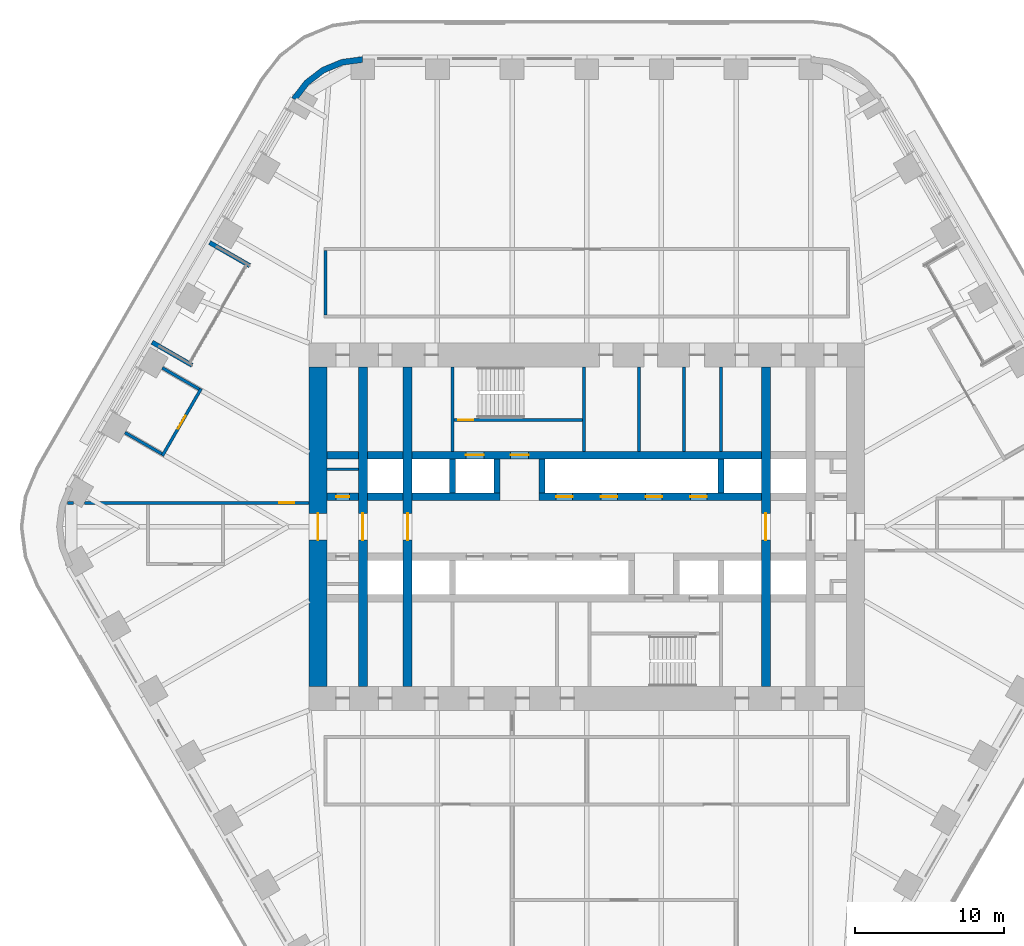
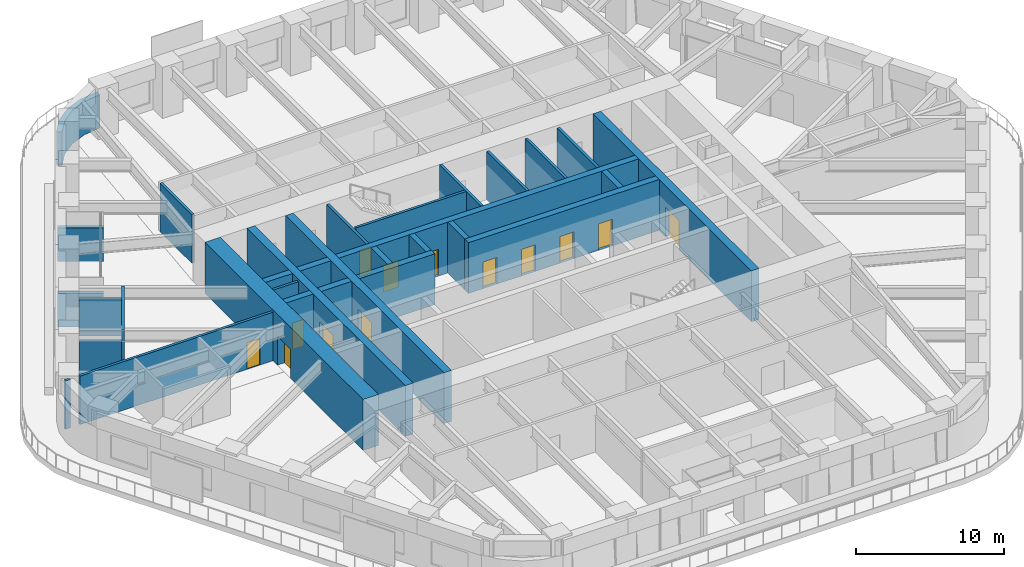
# One storey, part 19 of 24: 31 walls, 14 doors, 14 openings.
"""IFC4 building model written with IfcOpenShell, lengths in metres."""

from ifc_helpers import new_model, si_unit, direction, frame, frame_2d, origin, place, context, subcontext, project, spatial, polyline, rectangle, outline, extrude, material, layer, layer_set, type_object, element, fill, save


model = new_model("IFC4")

# Units and contexts
model_context = context("Model", 3, precision=1e-05, world=origin(), true_north=direction((0.0, 1.0)))
body_context = subcontext(model_context, "Body", "Model", "MODEL_VIEW")
ifc_project = project(units=[si_unit("LENGTHUNIT", "METRE"), si_unit("AREAUNIT", "SQUARE_METRE"), si_unit("VOLUMEUNIT", "CUBIC_METRE"), si_unit("PLANEANGLEUNIT", "RADIAN"), si_unit("MASSUNIT", "GRAM", prefix="KILO")], contexts=[model_context])

# Site, building, storey
site_placement = place(None, origin())
site = spatial("IfcSite", under=ifc_project, at=site_placement, CompositionType="ELEMENT")
building_placement = place(site_placement, origin())
building = spatial("IfcBuilding", under=site, at=building_placement, Name="Tarfa Lantern Tower", CompositionType="ELEMENT")
storey_placement = place(building_placement, frame((0.0, 0.0, 174.10009765625)))
storey = spatial("IfcBuildingStorey", under=building, at=storey_placement, Name="L39", CompositionType="ELEMENT", Elevation=174.10009765625)

# Walls
ifc_material_1 = material(Name="Limestone cladding on blockwork", Category="masonry")
ifc_layer_1 = layer(ifc_material_1, 0.300048828125)
ifc_layer_set_1 = layer_set([ifc_layer_1], Name="EW1 STONE-CLAD WALL 300")
wall_type_1 = type_object("IfcWallType", Name="EW1 STONE-CLAD WALL 300", PredefinedType="SOLIDWALL", material=ifc_layer_set_1)
wall_1_placement = place(storey_placement, frame((-25.266357421875, 19.037353515625, 0.0), z_axis=(0.0, 0.0, 1.0), x_axis=(0.86600983753, -0.500026960575, 0.0)))
element("IfcWall", 1, at=wall_1_placement, inside=storey, type_object=wall_type_1, Name="Loggia return NW 1", PredefinedType="SOLIDWALL", context=body_context, shape_type="SweptSolid", body=[
    extrude(rectangle(XDim=3.099853515625, YDim=0.300048828125, at=frame_2d((1.5498046875, 0.0))), origin(), (0.0, 0.0, 1.0), 2.75),
])
wall_2_placement = place(storey_placement, frame((-29.1201171875, 12.362548828125, 0.0), z_axis=(0.0, 0.0, 1.0), x_axis=(0.86602952684, -0.49999285859, 0.0)))
element("IfcWall", 2, at=wall_2_placement, inside=storey, type_object=wall_type_1, Name="Loggia return NW 2", PredefinedType="SOLIDWALL", context=body_context, shape_type="SweptSolid", body=[
    extrude(rectangle(XDim=3.10009765625, YDim=0.300048828125, at=frame_2d((1.550048828125, 0.0))), origin(), (0.0, 0.0, 1.0), 2.75),
])
ifc_layer_2 = layer(ifc_material_1, 0.39990234375)
ifc_layer_set_2 = layer_set([ifc_layer_2], Name="EW2 CURVED STONE CORNER 400")
wall_type_2 = type_object("IfcWallType", Name="EW2 CURVED STONE CORNER 400", PredefinedType="SOLIDWALL", material=ifc_layer_set_2)
wall_3_placement = place(storey_placement, origin())
element("IfcWall", 3, at=wall_3_placement, inside=storey, type_object=wall_type_2, Name="Stone corner N-NW", PredefinedType="SOLIDWALL", context=body_context, shape_type="SweptSolid", body=[
    extrude(outline(polyline([(-15.010986328125, 31.5), (-16.4345703125, 31.3125), (-17.760986328125, 30.76318359375), (-18.900146484375, 29.88916015625), (-19.774169921875, 28.75), (-19.427734375, 28.550048828125), (-18.617431640625, 29.606201171875), (-17.56103515625, 30.416748046875), (-16.3310546875, 30.92626953125), (-15.010986328125, 31.10009765625), (-15.010986328125, 31.5)])), origin(), (0.0, 0.0, 1.0), 2.75),
])
ifc_material_2 = material(Name="Concrete blockwork", Category="masonry")
ifc_layer_3 = layer(ifc_material_2, 0.199951171875)
ifc_layer_set_3 = layer_set([ifc_layer_3], Name="IW1 BLOCKWORK PARTITION 200 EI 120")
wall_type_3 = type_object("IfcWallType", Name="IW1 BLOCKWORK PARTITION 200 EI 120", PredefinedType="PARTITIONING", material=ifc_layer_set_3)
for number, where, z_axis, x_axis, name in (
    (4, (-9.0, 5.050048828125, 0.0), (0.0, 0.0, 1.0), (0.0, 1.0, 0.0), "Core partition"),
    (5, (9.0, 5.050048828125, 0.0), (0.0, 0.0, 1.0), (0.0, 1.0, 0.0), "Core partition"),
    (6, (3.5, 5.050048828125, 0.0), (0.0, 0.0, 1.0), (0.0, 1.0, 0.0), "Core partition"),
    (7, (6.5, 5.050048828125, 0.0), (0.0, 0.0, 1.0), (0.0, 1.0, 0.0), "Core partition"),
):
    element("IfcWall", number, at=place(storey_placement, frame(where, z_axis=z_axis, x_axis=x_axis)), inside=storey, type_object=wall_type_3, Name=name, PredefinedType="PARTITIONING", context=body_context, shape_type="SweptSolid", body=[
        extrude(rectangle(XDim=5.64990234375, YDim=0.199951171875, at=frame_2d((2.824951171875, 0.0))), origin(), (0.0, 0.0, 1.0), 4.0),
    ])
wall_4_placement = place(storey_placement, frame((-17.39990234375, 3.85009765625, 0.0), z_axis=(0.0, 0.0, 1.0), x_axis=(1.0, 0.0, 0.0)))
element("IfcWall", 8, at=wall_4_placement, inside=storey, type_object=wall_type_3, Name="Core partition", PredefinedType="PARTITIONING", context=body_context, shape_type="SweptSolid", body=[
    extrude(rectangle(XDim=2.099853515625, YDim=0.199951171875, at=frame_2d((1.0498046875, 0.0))), origin(), (0.0, 0.0, 1.0), 4.0),
])
ifc_material_3 = material(Name="Gypsum board on steel studs", Category="steel")
ifc_layer_4 = layer(ifc_material_3, 0.2099609375)
ifc_layer_set_4 = layer_set([ifc_layer_4], Name="IW2 ACOUSTIC PARTITION 200")
wall_type_4 = type_object("IfcWallType", Name="IW2 ACOUSTIC PARTITION 200", PredefinedType="PARTITIONING", material=ifc_layer_set_4)
wall_5_placement = place(storey_placement, frame((-17.5, 14.199951171875, 0.0), z_axis=(0.0, 0.0, 1.0), x_axis=(0.0, 1.0, 0.0)))
element("IfcWall", 9, at=wall_5_placement, inside=storey, type_object=wall_type_4, Name="Partition", PredefinedType="PARTITIONING", context=body_context, shape_type="SweptSolid", body=[
    extrude(rectangle(XDim=4.300048828125, YDim=0.199951171875, at=frame_2d((2.14990234375, 0.0))), origin(), (0.0, 0.0, 1.0), 4.0),
])

# Wall, opening, door
wall_6_placement = place(storey_placement, frame((-25.83447265625, 9.253173828125, 0.0), z_axis=(0.0, 0.0, 1.0), x_axis=(-0.500009456303, -0.866019944116, 0.0)))
wall_6 = element("IfcWall", 10, at=wall_6_placement, inside=storey, type_object=wall_type_4, Name="Partition", PredefinedType="PARTITIONING", context=body_context, shape_type="SweptSolid", body=[
    extrude(rectangle(XDim=5.20361328125, YDim=0.199951171875, at=frame_2d((2.601806640625, 0.0))), origin(), (0.0, 0.0, 1.0), 4.0),
])
opening_1_placement = place(wall_6_placement, frame((2.101806640625, 0.0, 0.0)))
opening_1 = element("IfcOpeningElement", 11, at=opening_1_placement, cuts=wall_6, Name="Opening D34", PredefinedType="OPENING", context=body_context, shape_type="SweptSolid", body=[
    extrude(rectangle(XDim=1.0, YDim=2.199951171875, at=frame_2d((0.5, 1.10009765625))), frame((0.0, 0.10986328125, 0.0), z_axis=(0.0, -1.0, 0.0), x_axis=(1.0, 0.0, 0.0)), (0.0, 0.0, 1.0), 0.219970703125),
])
ifc_material_4 = material(Name="Timber door", Category="wood")
door_type_1 = type_object("IfcDoorType", Name="DR1 ROOM DOOR 1000x2200", OperationType="SINGLE_SWING_LEFT", PredefinedType="DOOR", material=ifc_material_4)
door_1_placement = place(opening_1_placement, frame((1.0, 0.0, 0.0), z_axis=(0.0, 0.0, 1.0), x_axis=(-1.0, 0.0, 0.0)))
door_1 = element("IfcDoor", 12, at=door_1_placement, inside=storey, type_object=door_type_1, Name="Brand studio door", OperationType="SINGLE_SWING_RIGHT", OverallHeight=2.199951171875, OverallWidth=1.0, PredefinedType="DOOR", context=body_context, shape_type="SweptSolid", body=[
    extrude(rectangle(XDim=1.0, YDim=2.199951171875, at=frame_2d((0.5, 1.10009765625))), frame((0.0, 0.02490234375, 0.0), z_axis=(0.0, -1.0, 0.0), x_axis=(1.0, 0.0, 0.0)), (0.0, 0.0, 1.0), 0.050048828125),
])
fill(opening_1, door_1)

# Walls
wall_7_placement = place(storey_placement, frame((-25.97119140625, 9.216552734375, 0.0), z_axis=(0.0, 0.0, 1.0), x_axis=(-0.866004402611, 0.500036373335, 0.0)))
element("IfcWall", 13, at=wall_7_placement, inside=storey, type_object=wall_type_4, Name="Partition", PredefinedType="PARTITIONING", context=body_context, shape_type="SweptSolid", body=[
    extrude(rectangle(XDim=2.849853515625, YDim=0.199951171875, at=frame_2d((1.4248046875, 0.0))), origin(), (0.0, 0.0, 1.0), 3.08154296875),
])
wall_8_placement = place(storey_placement, frame((-28.472900390625, 4.88330078125, 0.0), z_axis=(0.0, 0.0, 1.0), x_axis=(-0.866025820012, 0.499999279071, 0.0)))
element("IfcWall", 14, at=wall_8_placement, inside=storey, type_object=wall_type_4, Name="Partition", PredefinedType="PARTITIONING", context=body_context, shape_type="SweptSolid", body=[
    extrude(rectangle(XDim=2.85009765625, YDim=0.199951171875, at=frame_2d((1.425048828125, 0.0))), origin(), (0.0, 0.0, 1.0), 3.08154296875),
])

# Wall, opening, door
wall_9_placement = place(storey_placement, frame((-18.60009765625, 1.60009765625, 0.0), z_axis=(0.0, 0.0, 1.0), x_axis=(-1.0, 0.0, 0.0)))
wall_9 = element("IfcWall", 15, at=wall_9_placement, inside=storey, type_object=wall_type_4, Name="Partition", PredefinedType="PARTITIONING", context=body_context, shape_type="SweptSolid", body=[
    extrude(rectangle(XDim=15.059326171875, YDim=0.199951171875, at=frame_2d((7.52978515625, 0.0))), origin(), (0.0, 0.0, 1.0), 4.0),
])
opening_2_placement = place(wall_9_placement, frame((1.005859375, 0.0, 0.0)))
opening_2 = element("IfcOpeningElement", 16, at=opening_2_placement, cuts=wall_9, Name="Opening D44", PredefinedType="OPENING", context=body_context, shape_type="SweptSolid", body=[
    extrude(rectangle(XDim=1.0, YDim=2.199951171875, at=frame_2d((0.5, 1.10009765625))), frame((0.0, 0.10986328125, 0.0), z_axis=(0.0, -1.0, 0.0), x_axis=(1.0, 0.0, 0.0)), (0.0, 0.0, 1.0), 0.219970703125),
])
door_2_placement = place(opening_2_placement, origin())
door_2 = element("IfcDoor", 17, at=door_2_placement, inside=storey, type_object=door_type_1, Name="Zone door", OperationType="SINGLE_SWING_RIGHT", OverallHeight=2.199951171875, OverallWidth=1.0, PredefinedType="DOOR", context=body_context, shape_type="SweptSolid", body=[
    extrude(rectangle(XDim=1.0, YDim=2.199951171875, at=frame_2d((0.5, 1.10009765625))), frame((0.0, 0.02490234375, 0.0), z_axis=(0.0, -1.0, 0.0), x_axis=(1.0, 0.0, 0.0)), (0.0, 0.0, 1.0), 0.050048828125),
])
fill(opening_2, door_2)

# Wall
wall_10_placement = place(storey_placement, frame((-34.3935546875, 1.60009765625, 0.0), z_axis=(0.0, 0.0, 1.0), x_axis=(-1.0, 0.0, 0.0)))
element("IfcWall", 18, at=wall_10_placement, inside=storey, type_object=wall_type_4, Name="Partition", PredefinedType="PARTITIONING", context=body_context, shape_type="SweptSolid", body=[
    extrude(rectangle(XDim=0.397705078125, YDim=0.199951171875, at=frame_2d((0.19873046875, 0.0))), origin(), (0.0, 0.0, 1.0), 4.0),
])

# Wall, opening, door
ifc_material_5 = material(Name="Concrete C80/95", Category="concrete")
ifc_layer_5 = layer(ifc_material_5, 1.199951171875)
ifc_layer_set_5 = layer_set([ifc_layer_5], Name="SW1 CORE WALL 1200")
wall_type_5 = type_object("IfcWallType", Name="SW1 CORE WALL 1200", PredefinedType="SHEAR", material=ifc_layer_set_5)
wall_11_placement = place(storey_placement, frame((-18.0, 10.699951171875, 0.0), z_axis=(0.0, 0.0, 1.0), x_axis=(0.0, -1.0, 0.0)))
wall_11 = element("IfcWall", 19, at=wall_11_placement, inside=storey, type_object=wall_type_5, Name="Core wall W", PredefinedType="SHEAR", context=body_context, shape_type="SweptSolid", body=[
    extrude(rectangle(XDim=21.39990234375, YDim=1.199951171875, at=frame_2d((10.699951171875, 0.0))), origin(), (0.0, 0.0, 1.0), 4.199951171875),
])
opening_3_placement = place(wall_11_placement, frame((9.800048828125, 0.0, 0.0)))
opening_3 = element("IfcOpeningElement", 20, at=opening_3_placement, cuts=wall_11, Name="Opening D16", PredefinedType="OPENING", context=body_context, shape_type="SweptSolid", body=[
    extrude(rectangle(XDim=1.800048828125, YDim=2.39990234375, at=frame_2d((0.89990234375, 1.199951171875))), frame((0.0, 0.60986328125, 0.0), z_axis=(0.0, -1.0, 0.0), x_axis=(1.0, 0.0, 0.0)), (0.0, 0.0, 1.0), 1.219970703125),
])
ifc_material_6 = material(Name="Steel fire door", Category="steel")
door_type_2 = type_object("IfcDoorType", Name="DL1 LOBBY DOOR 1800x2400", OperationType="DOUBLE_DOOR_SINGLE_SWING", PredefinedType="DOOR", material=ifc_material_6)
door_3_placement = place(opening_3_placement, frame((1.800048828125, 0.0, 0.0), z_axis=(0.0, 0.0, 1.0), x_axis=(-1.0, 0.0, 0.0)))
door_3 = element("IfcDoor", 21, at=door_3_placement, inside=storey, type_object=door_type_2, Name="Lift lobby door", OperationType="DOUBLE_DOOR_SINGLE_SWING", OverallHeight=2.39990234375, OverallWidth=1.800048828125, PredefinedType="DOOR", context=body_context, shape_type="SweptSolid", body=[
    extrude(rectangle(XDim=1.800048828125, YDim=2.39990234375, at=frame_2d((0.89990234375, 1.199951171875))), frame((0.0, 0.02490234375, 0.0), z_axis=(0.0, -1.0, 0.0), x_axis=(1.0, 0.0, 0.0)), (0.0, 0.0, 1.0), 0.050048828125),
])
fill(opening_3, door_3)

# Wall
ifc_layer_6 = layer(ifc_material_5, 0.199951171875)
ifc_layer_set_6 = layer_set([ifc_layer_6], Name="SW12 CORE WALL 200")
wall_type_6 = type_object("IfcWallType", Name="SW12 CORE WALL 200", PredefinedType="SHEAR", material=ifc_layer_set_6)
wall_12_placement = place(storey_placement, frame((-0.199951171875, 5.050048828125, 0.0), z_axis=(0.0, 0.0, 1.0), x_axis=(0.0, 1.0, 0.0)))
element("IfcWall", 22, at=wall_12_placement, inside=storey, type_object=wall_type_6, Name="Core wall stair shaft N", PredefinedType="SHEAR", context=body_context, shape_type="SweptSolid", body=[
    extrude(rectangle(XDim=5.64990234375, YDim=0.199951171875, at=frame_2d((2.824951171875, 0.0))), origin(), (0.0, 0.0, 1.0), 4.199951171875),
])

# Wall, opening, door
wall_13_placement = place(storey_placement, frame((-8.89990234375, 7.14990234375, 0.0), z_axis=(0.0, 0.0, 1.0), x_axis=(1.0, 0.0, 0.0)))
wall_13 = element("IfcWall", 23, at=wall_13_placement, inside=storey, type_object=wall_type_6, Name="Core wall stair partition N", PredefinedType="SHEAR", context=body_context, shape_type="SweptSolid", body=[
    extrude(rectangle(XDim=8.599853515625, YDim=0.199951171875, at=frame_2d((4.2998046875, 0.0))), origin(), (0.0, 0.0, 1.0), 4.199951171875),
])
opening_4_placement = place(wall_13_placement, frame((0.300048828125, 0.0, 0.0)))
opening_4 = element("IfcOpeningElement", 24, at=opening_4_placement, cuts=wall_13, Name="Opening D27", PredefinedType="OPENING", context=body_context, shape_type="SweptSolid", body=[
    extrude(rectangle(XDim=1.0, YDim=2.199951171875, at=frame_2d((0.5, 1.10009765625))), frame((0.0, 0.10986328125, 0.0), z_axis=(0.0, -1.0, 0.0), x_axis=(1.0, 0.0, 0.0)), (0.0, 0.0, 1.0), 0.219970703125),
])
door_type_3 = type_object("IfcDoorType", Name="DF2 STAIR DOOR 1000x2200", OperationType="SINGLE_SWING_LEFT", PredefinedType="DOOR", material=ifc_material_6)
door_4_placement = place(opening_4_placement, origin())
door_4 = element("IfcDoor", 25, at=door_4_placement, inside=storey, type_object=door_type_3, Name="Stair door", OperationType="SINGLE_SWING_RIGHT", OverallHeight=2.199951171875, OverallWidth=1.0, PredefinedType="DOOR", context=body_context, shape_type="SweptSolid", body=[
    extrude(rectangle(XDim=1.0, YDim=2.199951171875, at=frame_2d((0.5, 1.10009765625))), frame((0.0, 0.02490234375, 0.0), z_axis=(0.0, -1.0, 0.0), x_axis=(1.0, 0.0, 0.0)), (0.0, 0.0, 1.0), 0.050048828125),
])
fill(opening_4, door_4)

ifc_layer_7 = layer(ifc_material_5, 0.5)
ifc_layer_set_7 = layer_set([ifc_layer_7], Name="SW5 CORE WALL 500")
wall_type_7 = type_object("IfcWallType", Name="SW5 CORE WALL 500", PredefinedType="SHEAR", material=ifc_layer_set_7)
wall_14_placement = place(storey_placement, frame((-17.39990234375, 2.0, 0.0), z_axis=(0.0, 0.0, 1.0), x_axis=(1.0, 0.0, 0.0)))
wall_14 = element("IfcWall", 26, at=wall_14_placement, inside=storey, type_object=wall_type_7, Name="Core wall lobby west N", PredefinedType="SHEAR", context=body_context, shape_type="SweptSolid", body=[
    extrude(rectangle(XDim=2.099853515625, YDim=0.5, at=frame_2d((1.0498046875, 0.0))), origin(), (0.0, 0.0, 1.0), 4.199951171875),
])
opening_5_placement = place(wall_14_placement, frame((0.60009765625, 0.0, 0.0)))
opening_5 = element("IfcOpeningElement", 27, at=opening_5_placement, cuts=wall_14, Name="Opening D19", PredefinedType="OPENING", context=body_context, shape_type="SweptSolid", body=[
    extrude(rectangle(XDim=0.89990234375, YDim=2.199951171875, at=frame_2d((0.449951171875, 1.10009765625))), frame((0.0, 0.260009765625, 0.0), z_axis=(0.0, -1.0, 0.0), x_axis=(1.0, 0.0, 0.0)), (0.0, 0.0, 1.0), 0.52001953125),
])
door_type_4 = type_object("IfcDoorType", Name="DF6 SERVICE ROOM DOOR 900x2200", OperationType="SINGLE_SWING_LEFT", PredefinedType="DOOR", material=ifc_material_6)
door_5_placement = place(opening_5_placement, origin())
door_5 = element("IfcDoor", 28, at=door_5_placement, inside=storey, type_object=door_type_4, Name="Service room door", OperationType="SINGLE_SWING_LEFT", OverallHeight=2.199951171875, OverallWidth=0.89990234375, PredefinedType="DOOR", context=body_context, shape_type="SweptSolid", body=[
    extrude(rectangle(XDim=0.89990234375, YDim=2.199951171875, at=frame_2d((0.449951171875, 1.10009765625))), frame((0.0, 0.02490234375, 0.0), z_axis=(0.0, -1.0, 0.0), x_axis=(1.0, 0.0, 0.0)), (0.0, 0.0, 1.0), 0.050048828125),
])
fill(opening_5, door_5)

# Walls
wall_15_placement = place(storey_placement, frame((-14.699951171875, 2.0, 0.0), z_axis=(0.0, 0.0, 1.0), x_axis=(1.0, 0.0, 0.0)))
element("IfcWall", 29, at=wall_15_placement, inside=storey, type_object=wall_type_7, Name="Core wall lobby west N", PredefinedType="SHEAR", context=body_context, shape_type="SweptSolid", body=[
    extrude(rectangle(XDim=2.39990234375, YDim=0.5, at=frame_2d((1.199951171875, 0.0))), origin(), (0.0, 0.0, 1.0), 4.199951171875),
])
wall_16_placement = place(storey_placement, frame((-11.699951171875, 2.0, 0.0), z_axis=(0.0, 0.0, 1.0), x_axis=(1.0, 0.0, 0.0)))
element("IfcWall", 30, at=wall_16_placement, inside=storey, type_object=wall_type_7, Name="Core wall lobby west N", PredefinedType="SHEAR", context=body_context, shape_type="SweptSolid", body=[
    extrude(rectangle(XDim=5.89990234375, YDim=0.5, at=frame_2d((2.949951171875, 0.0))), origin(), (0.0, 0.0, 1.0), 4.199951171875),
])

# Wall, openings, doors
wall_17_placement = place(storey_placement, frame((-3.199951171875, 2.0, 0.0), z_axis=(0.0, 0.0, 1.0), x_axis=(1.0, 0.0, 0.0)))
wall_17 = element("IfcWall", 31, at=wall_17_placement, inside=storey, type_object=wall_type_7, Name="Core wall lobby east N", PredefinedType="SHEAR", context=body_context, shape_type="SweptSolid", body=[
    extrude(rectangle(XDim=14.89990234375, YDim=0.5, at=frame_2d((7.449951171875, 0.0))), origin(), (0.0, 0.0, 1.0), 4.199951171875),
])
opening_6_placement = place(wall_17_placement, frame((1.14990234375, 0.0, 0.0)))
opening_6 = element("IfcOpeningElement", 32, at=opening_6_placement, cuts=wall_17, Name="Opening LD03", PredefinedType="OPENING", context=body_context, shape_type="SweptSolid", body=[
    extrude(rectangle(XDim=1.10009765625, YDim=2.199951171875, at=frame_2d((0.550048828125, 1.10009765625))), frame((0.0, 0.260009765625, 0.0), z_axis=(0.0, -1.0, 0.0), x_axis=(1.0, 0.0, 0.0)), (0.0, 0.0, 1.0), 0.52001953125),
])
opening_7_placement = place(wall_17_placement, frame((4.14990234375, 0.0, 0.0)))
opening_7 = element("IfcOpeningElement", 33, at=opening_7_placement, cuts=wall_17, Name="Opening LD04", PredefinedType="OPENING", context=body_context, shape_type="SweptSolid", body=[
    extrude(rectangle(XDim=1.10009765625, YDim=2.199951171875, at=frame_2d((0.550048828125, 1.10009765625))), frame((0.0, 0.260009765625, 0.0), z_axis=(0.0, -1.0, 0.0), x_axis=(1.0, 0.0, 0.0)), (0.0, 0.0, 1.0), 0.52001953125),
])
opening_8_placement = place(wall_17_placement, frame((7.14990234375, 0.0, 0.0)))
opening_8 = element("IfcOpeningElement", 34, at=opening_8_placement, cuts=wall_17, Name="Opening LD05", PredefinedType="OPENING", context=body_context, shape_type="SweptSolid", body=[
    extrude(rectangle(XDim=1.10009765625, YDim=2.199951171875, at=frame_2d((0.550048828125, 1.10009765625))), frame((0.0, 0.260009765625, 0.0), z_axis=(0.0, -1.0, 0.0), x_axis=(1.0, 0.0, 0.0)), (0.0, 0.0, 1.0), 0.52001953125),
])
opening_9_placement = place(wall_17_placement, frame((10.14990234375, 0.0, 0.0)))
opening_9 = element("IfcOpeningElement", 35, at=opening_9_placement, cuts=wall_17, Name="Opening LD06", PredefinedType="OPENING", context=body_context, shape_type="SweptSolid", body=[
    extrude(rectangle(XDim=1.10009765625, YDim=2.199951171875, at=frame_2d((0.550048828125, 1.10009765625))), frame((0.0, 0.260009765625, 0.0), z_axis=(0.0, -1.0, 0.0), x_axis=(1.0, 0.0, 0.0)), (0.0, 0.0, 1.0), 0.52001953125),
])
ifc_material_7 = material(Name="Stainless steel lift door", Category="steel")
door_type_5 = type_object("IfcDoorType", Name="LD2 LIFT LANDING DOOR 1100x2200", OperationType="SLIDING_TO_LEFT", PredefinedType="DOOR", material=ifc_material_7)
door_6_placement = place(opening_6_placement, frame((1.10009765625, 0.0, 0.0), z_axis=(0.0, 0.0, 1.0), x_axis=(-1.0, 0.0, 0.0)))
door_6 = element("IfcDoor", 36, at=door_6_placement, inside=storey, type_object=door_type_5, Name="Landing door PB1", OperationType="SLIDING_TO_LEFT", OverallHeight=2.199951171875, OverallWidth=1.10009765625, PredefinedType="DOOR", context=body_context, shape_type="SweptSolid", body=[
    extrude(rectangle(XDim=1.10009765625, YDim=2.199951171875, at=frame_2d((0.550048828125, 1.10009765625))), frame((0.0, 0.02490234375, 0.0), z_axis=(0.0, -1.0, 0.0), x_axis=(1.0, 0.0, 0.0)), (0.0, 0.0, 1.0), 0.050048828125),
])
fill(opening_6, door_6)
door_7_placement = place(opening_7_placement, frame((1.10009765625, 0.0, 0.0), z_axis=(0.0, 0.0, 1.0), x_axis=(-1.0, 0.0, 0.0)))
door_7 = element("IfcDoor", 37, at=door_7_placement, inside=storey, type_object=door_type_5, Name="Landing door PB2", OperationType="SLIDING_TO_LEFT", OverallHeight=2.199951171875, OverallWidth=1.10009765625, PredefinedType="DOOR", context=body_context, shape_type="SweptSolid", body=[
    extrude(rectangle(XDim=1.10009765625, YDim=2.199951171875, at=frame_2d((0.550048828125, 1.10009765625))), frame((0.0, 0.02490234375, 0.0), z_axis=(0.0, -1.0, 0.0), x_axis=(1.0, 0.0, 0.0)), (0.0, 0.0, 1.0), 0.050048828125),
])
fill(opening_7, door_7)
door_8_placement = place(opening_8_placement, frame((1.10009765625, 0.0, 0.0), z_axis=(0.0, 0.0, 1.0), x_axis=(-1.0, 0.0, 0.0)))
door_8 = element("IfcDoor", 38, at=door_8_placement, inside=storey, type_object=door_type_5, Name="Landing door PB3", OperationType="SLIDING_TO_LEFT", OverallHeight=2.199951171875, OverallWidth=1.10009765625, PredefinedType="DOOR", context=body_context, shape_type="SweptSolid", body=[
    extrude(rectangle(XDim=1.10009765625, YDim=2.199951171875, at=frame_2d((0.550048828125, 1.10009765625))), frame((0.0, 0.02490234375, 0.0), z_axis=(0.0, -1.0, 0.0), x_axis=(1.0, 0.0, 0.0)), (0.0, 0.0, 1.0), 0.050048828125),
])
fill(opening_8, door_8)
door_9_placement = place(opening_9_placement, frame((1.10009765625, 0.0, 0.0), z_axis=(0.0, 0.0, 1.0), x_axis=(-1.0, 0.0, 0.0)))
door_9 = element("IfcDoor", 39, at=door_9_placement, inside=storey, type_object=door_type_5, Name="Landing door PB4", OperationType="SLIDING_TO_LEFT", OverallHeight=2.199951171875, OverallWidth=1.10009765625, PredefinedType="DOOR", context=body_context, shape_type="SweptSolid", body=[
    extrude(rectangle(XDim=1.10009765625, YDim=2.199951171875, at=frame_2d((0.550048828125, 1.10009765625))), frame((0.0, 0.02490234375, 0.0), z_axis=(0.0, -1.0, 0.0), x_axis=(1.0, 0.0, 0.0)), (0.0, 0.0, 1.0), 0.050048828125),
])
fill(opening_9, door_9)

# Walls
wall_18_placement = place(storey_placement, frame((-17.39990234375, 4.800048828125, 0.0), z_axis=(0.0, 0.0, 1.0), x_axis=(1.0, 0.0, 0.0)))
element("IfcWall", 40, at=wall_18_placement, inside=storey, type_object=wall_type_7, Name="Core wall rear N", PredefinedType="SHEAR", context=body_context, shape_type="SweptSolid", body=[
    extrude(rectangle(XDim=2.099853515625, YDim=0.5, at=frame_2d((1.0498046875, 0.0))), origin(), (0.0, 0.0, 1.0), 4.199951171875),
])
wall_19_placement = place(storey_placement, frame((-14.699951171875, 4.800048828125, 0.0), z_axis=(0.0, 0.0, 1.0), x_axis=(1.0, 0.0, 0.0)))
element("IfcWall", 41, at=wall_19_placement, inside=storey, type_object=wall_type_7, Name="Core wall rear N", PredefinedType="SHEAR", context=body_context, shape_type="SweptSolid", body=[
    extrude(rectangle(XDim=2.39990234375, YDim=0.5, at=frame_2d((1.199951171875, 0.0))), origin(), (0.0, 0.0, 1.0), 4.199951171875),
])

# Wall, openings, doors
wall_20_placement = place(storey_placement, frame((-11.699951171875, 4.800048828125, 0.0), z_axis=(0.0, 0.0, 1.0), x_axis=(1.0, 0.0, 0.0)))
wall_20 = element("IfcWall", 42, at=wall_20_placement, inside=storey, type_object=wall_type_7, Name="Core wall rear N", PredefinedType="SHEAR", context=body_context, shape_type="SweptSolid", body=[
    extrude(rectangle(XDim=23.39990234375, YDim=0.5, at=frame_2d((11.699951171875, 0.0))), origin(), (0.0, 0.0, 1.0), 4.199951171875),
])
opening_10_placement = place(wall_20_placement, frame((6.60009765625, 0.0, 0.0)))
opening_10 = element("IfcOpeningElement", 43, at=opening_10_placement, cuts=wall_20, Name="Opening D13", PredefinedType="OPENING", context=body_context, shape_type="SweptSolid", body=[
    extrude(rectangle(XDim=1.199951171875, YDim=2.199951171875, at=frame_2d((0.60009765625, 1.10009765625))), frame((0.0, 0.260009765625, 0.0), z_axis=(0.0, -1.0, 0.0), x_axis=(1.0, 0.0, 0.0)), (0.0, 0.0, 1.0), 0.52001953125),
])
opening_11_placement = place(wall_20_placement, frame((3.60009765625, 0.0, 0.0)))
opening_11 = element("IfcOpeningElement", 44, at=opening_11_placement, cuts=wall_20, Name="Opening LD01", PredefinedType="OPENING", context=body_context, shape_type="SweptSolid", body=[
    extrude(rectangle(XDim=1.199951171875, YDim=2.199951171875, at=frame_2d((0.60009765625, 1.10009765625))), frame((0.0, 0.260009765625, 0.0), z_axis=(0.0, -1.0, 0.0), x_axis=(1.0, 0.0, 0.0)), (0.0, 0.0, 1.0), 0.52001953125),
])
door_type_6 = type_object("IfcDoorType", Name="DF1 FIREFIGHTING LOBBY DOOR 1200x2200", OperationType="SINGLE_SWING_LEFT", PredefinedType="DOOR", material=ifc_material_6)
door_10_placement = place(opening_10_placement, origin())
door_10 = element("IfcDoor", 45, at=door_10_placement, inside=storey, type_object=door_type_6, Name="Firefighting lobby door", OperationType="SINGLE_SWING_LEFT", OverallHeight=2.199951171875, OverallWidth=1.199951171875, PredefinedType="DOOR", context=body_context, shape_type="SweptSolid", body=[
    extrude(rectangle(XDim=1.199951171875, YDim=2.199951171875, at=frame_2d((0.60009765625, 1.10009765625))), frame((0.0, 0.02490234375, 0.0), z_axis=(0.0, -1.0, 0.0), x_axis=(1.0, 0.0, 0.0)), (0.0, 0.0, 1.0), 0.050048828125),
])
fill(opening_10, door_10)
door_type_7 = type_object("IfcDoorType", Name="LD1 LIFT LANDING DOOR 1200x2200", OperationType="SLIDING_TO_LEFT", PredefinedType="DOOR", material=ifc_material_7)
door_11_placement = place(opening_11_placement, origin())
door_11 = element("IfcDoor", 46, at=door_11_placement, inside=storey, type_object=door_type_7, Name="Landing door FL1", OperationType="SLIDING_TO_LEFT", OverallHeight=2.199951171875, OverallWidth=1.199951171875, PredefinedType="DOOR", context=body_context, shape_type="SweptSolid", body=[
    extrude(rectangle(XDim=1.199951171875, YDim=2.199951171875, at=frame_2d((0.60009765625, 1.10009765625))), frame((0.0, 0.02490234375, 0.0), z_axis=(0.0, -1.0, 0.0), x_axis=(1.0, 0.0, 0.0)), (0.0, 0.0, 1.0), 0.050048828125),
])
fill(opening_11, door_11)

# Walls
ifc_layer_8 = layer(ifc_material_5, 0.39990234375)
ifc_layer_set_8 = layer_set([ifc_layer_8], Name="SW6 CORE WALL 400")
wall_type_8 = type_object("IfcWallType", Name="SW6 CORE WALL 400", PredefinedType="SHEAR", material=ifc_layer_set_8)
for number, where, z_axis, x_axis, name in (
    (47, (-9.0, 2.25, 0.0), (0.0, 0.0, 1.0), (0.0, 1.0, 0.0), "Core wall divider N"),
    (48, (-6.0, 2.25, 0.0), (0.0, 0.0, 1.0), (0.0, 1.0, 0.0), "Core wall divider N"),
    (49, (-3.0, 2.25, 0.0), (0.0, 0.0, 1.0), (0.0, 1.0, 0.0), "Core wall divider N"),
    (50, (9.0, 2.25, 0.0), (0.0, 0.0, 1.0), (0.0, 1.0, 0.0), "Core wall divider N"),
):
    element("IfcWall", number, at=place(storey_placement, frame(where, z_axis=z_axis, x_axis=x_axis)), inside=storey, type_object=wall_type_8, Name=name, PredefinedType="SHEAR", context=body_context, shape_type="SweptSolid", body=[
        extrude(rectangle(XDim=2.300048828125, YDim=0.39990234375, at=frame_2d((1.14990234375, 0.0))), origin(), (0.0, 0.0, 1.0), 4.199951171875),
    ])

# Wall, opening, door
ifc_layer_9 = layer(ifc_material_5, 0.60009765625)
ifc_layer_set_9 = layer_set([ifc_layer_9], Name="SW9 CORE WALL 600")
wall_type_9 = type_object("IfcWallType", Name="SW9 CORE WALL 600", PredefinedType="SHEAR", material=ifc_layer_set_9)
wall_21_placement = place(storey_placement, frame((12.0, -10.699951171875, 0.0), z_axis=(0.0, 0.0, 1.0), x_axis=(0.0, 1.0, 0.0)))
wall_21 = element("IfcWall", 51, at=wall_21_placement, inside=storey, type_object=wall_type_9, Name="Core wall cross 12 m east", PredefinedType="SHEAR", context=body_context, shape_type="SweptSolid", body=[
    extrude(rectangle(XDim=21.39990234375, YDim=0.60009765625, at=frame_2d((10.699951171875, 0.0))), origin(), (0.0, 0.0, 1.0), 4.199951171875),
])
opening_12_placement = place(wall_21_placement, frame((9.800048828125, 0.0, 0.0)))
opening_12 = element("IfcOpeningElement", 52, at=opening_12_placement, cuts=wall_21, Name="Opening D29", PredefinedType="OPENING", context=body_context, shape_type="SweptSolid", body=[
    extrude(rectangle(XDim=1.800048828125, YDim=2.39990234375, at=frame_2d((0.89990234375, 1.199951171875))), frame((0.0, 0.31005859375, 0.0), z_axis=(0.0, -1.0, 0.0), x_axis=(1.0, 0.0, 0.0)), (0.0, 0.0, 1.0), 0.6201171875),
])
door_12_placement = place(opening_12_placement, origin())
door_12 = element("IfcDoor", 53, at=door_12_placement, inside=storey, type_object=door_type_2, Name="Lift lobby door", OperationType="DOUBLE_DOOR_SINGLE_SWING", OverallHeight=2.39990234375, OverallWidth=1.800048828125, PredefinedType="DOOR", context=body_context, shape_type="SweptSolid", body=[
    extrude(rectangle(XDim=1.800048828125, YDim=2.39990234375, at=frame_2d((0.89990234375, 1.199951171875))), frame((0.0, 0.02490234375, 0.0), z_axis=(0.0, -1.0, 0.0), x_axis=(1.0, 0.0, 0.0)), (0.0, 0.0, 1.0), 0.050048828125),
])
fill(opening_12, door_12)

wall_22_placement = place(storey_placement, frame((-12.0, -10.699951171875, 0.0), z_axis=(0.0, 0.0, 1.0), x_axis=(0.0, 1.0, 0.0)))
wall_22 = element("IfcWall", 54, at=wall_22_placement, inside=storey, type_object=wall_type_9, Name="Core wall cross 12 m west", PredefinedType="SHEAR", context=body_context, shape_type="SweptSolid", body=[
    extrude(rectangle(XDim=21.39990234375, YDim=0.60009765625, at=frame_2d((10.699951171875, 0.0))), origin(), (0.0, 0.0, 1.0), 4.199951171875),
])
opening_13_placement = place(wall_22_placement, frame((9.800048828125, 0.0, 0.0)))
opening_13 = element("IfcOpeningElement", 55, at=opening_13_placement, cuts=wall_22, Name="Opening D31", PredefinedType="OPENING", context=body_context, shape_type="SweptSolid", body=[
    extrude(rectangle(XDim=1.800048828125, YDim=2.39990234375, at=frame_2d((0.89990234375, 1.199951171875))), frame((0.0, 0.31005859375, 0.0), z_axis=(0.0, -1.0, 0.0), x_axis=(1.0, 0.0, 0.0)), (0.0, 0.0, 1.0), 0.6201171875),
])
door_13_placement = place(opening_13_placement, origin())
door_13 = element("IfcDoor", 56, at=door_13_placement, inside=storey, type_object=door_type_2, Name="Lift lobby door", OperationType="DOUBLE_DOOR_SINGLE_SWING", OverallHeight=2.39990234375, OverallWidth=1.800048828125, PredefinedType="DOOR", context=body_context, shape_type="SweptSolid", body=[
    extrude(rectangle(XDim=1.800048828125, YDim=2.39990234375, at=frame_2d((0.89990234375, 1.199951171875))), frame((0.0, 0.02490234375, 0.0), z_axis=(0.0, -1.0, 0.0), x_axis=(1.0, 0.0, 0.0)), (0.0, 0.0, 1.0), 0.050048828125),
])
fill(opening_13, door_13)

wall_23_placement = place(storey_placement, frame((-15.0, -10.699951171875, 0.0), z_axis=(0.0, 0.0, 1.0), x_axis=(0.0, 1.0, 0.0)))
wall_23 = element("IfcWall", 57, at=wall_23_placement, inside=storey, type_object=wall_type_9, Name="Core wall cross 15 m west", PredefinedType="SHEAR", context=body_context, shape_type="SweptSolid", body=[
    extrude(rectangle(XDim=21.39990234375, YDim=0.60009765625, at=frame_2d((10.699951171875, 0.0))), origin(), (0.0, 0.0, 1.0), 4.199951171875),
])
opening_14_placement = place(wall_23_placement, frame((9.800048828125, 0.0, 0.0)))
opening_14 = element("IfcOpeningElement", 58, at=opening_14_placement, cuts=wall_23, Name="Opening D32", PredefinedType="OPENING", context=body_context, shape_type="SweptSolid", body=[
    extrude(rectangle(XDim=1.800048828125, YDim=2.39990234375, at=frame_2d((0.89990234375, 1.199951171875))), frame((0.0, 0.31005859375, 0.0), z_axis=(0.0, -1.0, 0.0), x_axis=(1.0, 0.0, 0.0)), (0.0, 0.0, 1.0), 0.6201171875),
])
door_14_placement = place(opening_14_placement, origin())
door_14 = element("IfcDoor", 59, at=door_14_placement, inside=storey, type_object=door_type_2, Name="Lift lobby door", OperationType="DOUBLE_DOOR_SINGLE_SWING", OverallHeight=2.39990234375, OverallWidth=1.800048828125, PredefinedType="DOOR", context=body_context, shape_type="SweptSolid", body=[
    extrude(rectangle(XDim=1.800048828125, YDim=2.39990234375, at=frame_2d((0.89990234375, 1.199951171875))), frame((0.0, 0.02490234375, 0.0), z_axis=(0.0, -1.0, 0.0), x_axis=(1.0, 0.0, 0.0)), (0.0, 0.0, 1.0), 0.050048828125),
])
fill(opening_14, door_14)

save(model, "model.ifc")
